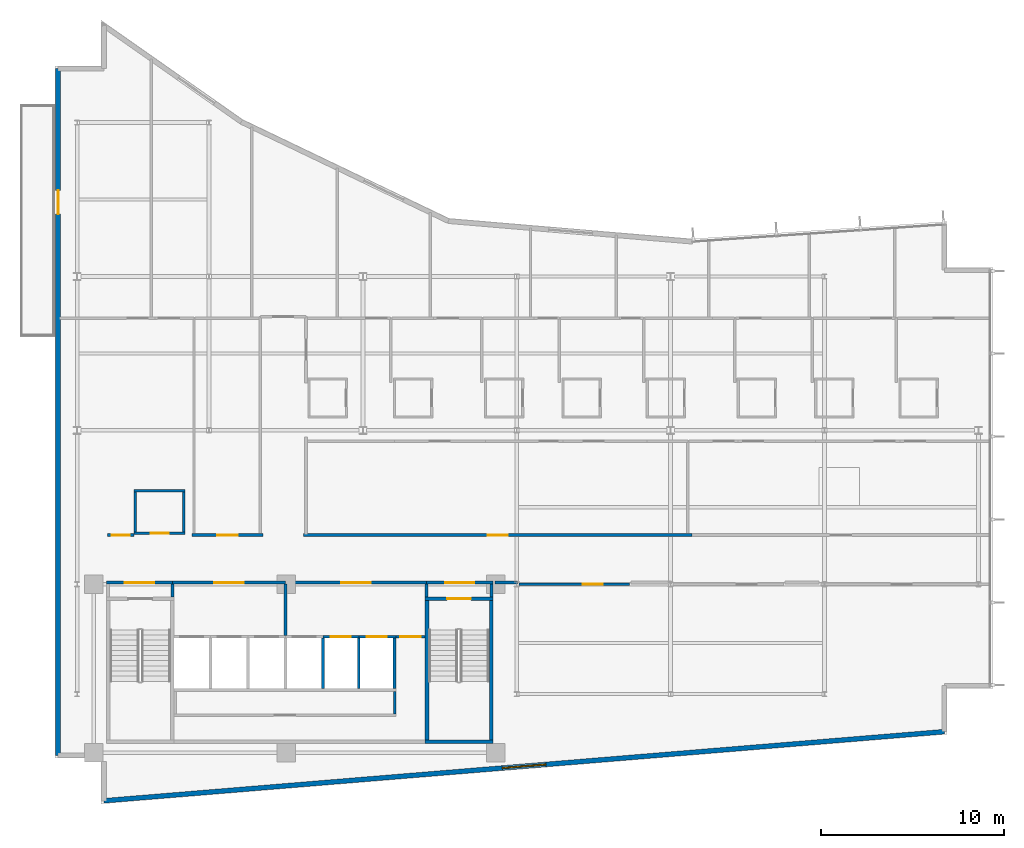
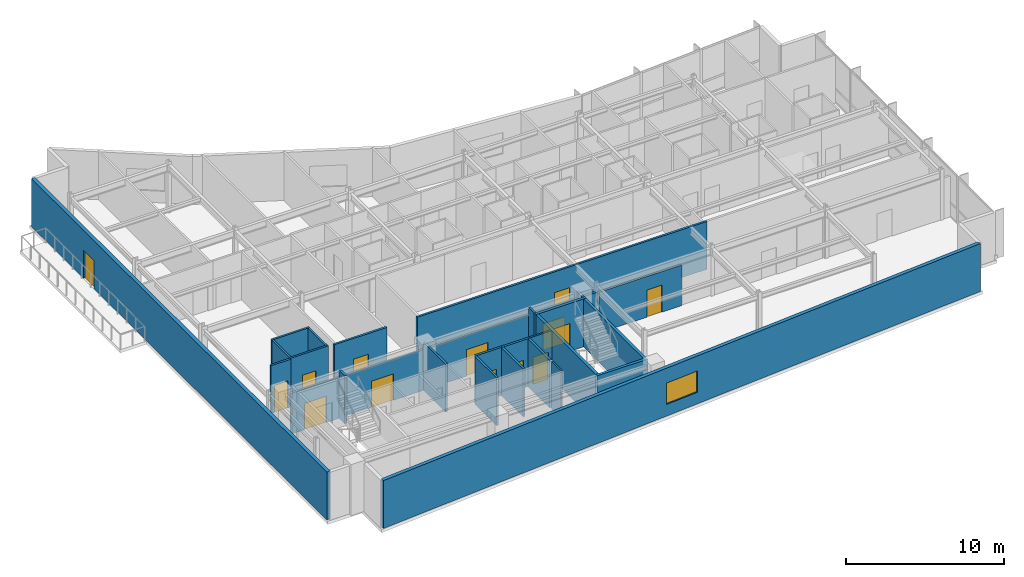
# One storey, part 10 of 16: 30 walls, 14 doors, 1 window, 15 openings.
"""IFC4 building model written with IfcOpenShell, lengths in metres."""

import ifcopenshell
import ifcopenshell.guid

model = None  # the IFC model being written
_history = None  # IfcOwnerHistory: only IFC2X3 demands one
_inside = {}  # id of a spatial element -> (the spatial element, [elements in it])
_under = {}  # id of a project, library or spatial element -> (it, [spatial elements below it])
_declared = {}  # id of a project -> (the project, [libraries it declares])
_typed = {}  # id of a type object -> (the type object, [elements of that type])
_made_of = {}  # id of a material, layer set ... -> (it, [elements and type objects made of it])


def new_model(schema):
    """Start an empty IFC model of exactly this schema.

    Asked for "IFC4X3", IfcOpenShell would pick the latest addendum, in which some entities
    have other attributes; the version numbers below select the first issue.
    IFC2X3 requires an IfcOwnerHistory on every rooted entity: one is made here for all.
    """
    global model, _history
    if schema == "IFC4X3":
        model = ifcopenshell.file(schema_version=(4, 3, 0, 0))
    else:
        model = ifcopenshell.file(schema=schema)
    _inside.clear()
    _under.clear()
    _declared.clear()
    _typed.clear()
    _made_of.clear()
    _history = None
    if model.schema == "IFC2X3":
        org = make("IfcOrganization", Name="unknown")
        user = make(
            "IfcPersonAndOrganization",
            ThePerson=make("IfcPerson", FamilyName="unknown"),
            TheOrganization=org,
        )
        app = make(
            "IfcApplication",
            ApplicationDeveloper=org,
            Version="unknown",
            ApplicationFullName="unknown",
            ApplicationIdentifier="unknown",
        )
        _history = make(
            "IfcOwnerHistory",
            OwningUser=user,
            OwningApplication=app,
            ChangeAction="ADDED",
            CreationDate=0,
        )
    return model


def make(cls, **values):
    """One entity of the class cls with the attributes given. An attribute that is None is left unset."""
    return model.create_entity(
        cls, **{name: value for name, value in values.items() if value is not None}
    )


def rooted(cls, **values):
    """An entity with a GlobalId (a new one), such as an element, a storey or a relation."""
    return make(cls, GlobalId=ifcopenshell.guid.new(), OwnerHistory=_history, **values)


def si_unit(unit_type, name, prefix=None):
    """IfcSIUnit, for example si_unit("LENGTHUNIT", "METRE", prefix="MILLI")."""
    return make("IfcSIUnit", UnitType=unit_type, Prefix=prefix, Name=name)


def assignment(units):
    """IfcUnitAssignment: the units of a project."""
    return None if units is None else make("IfcUnitAssignment", Units=units)


def point(xyz):
    """IfcCartesianPoint."""
    return None if xyz is None else make("IfcCartesianPoint", Coordinates=xyz)


def direction(xyz):
    """IfcDirection."""
    return None if xyz is None else make("IfcDirection", DirectionRatios=xyz)


def frame(location, z_axis=None, x_axis=None):
    """IfcAxis2Placement3D, a coordinate frame: its origin and axes. An axis left out is left unset."""
    return make(
        "IfcAxis2Placement3D",
        Location=point(location),
        Axis=direction(z_axis),
        RefDirection=direction(x_axis),
    )


def frame_2d(location, x_axis=None):
    """IfcAxis2Placement2D, a coordinate frame in the plane: its origin and x axis."""
    return make(
        "IfcAxis2Placement2D", Location=point(location), RefDirection=direction(x_axis)
    )


def origin():
    """The frame at (0, 0, 0) with its axes left unset."""
    return frame((0.0, 0.0, 0.0))


def place(relative_to, where):
    """IfcLocalPlacement: puts the frame where relative to a parent placement (None: the world)."""
    return make(
        "IfcLocalPlacement", PlacementRelTo=relative_to, RelativePlacement=where
    )


def context(
    kind, dimensions, precision=None, world=None, true_north=None, identifier=None
):
    """IfcGeometricRepresentationContext, for example the 3D "Model" context."""
    return make(
        "IfcGeometricRepresentationContext",
        ContextIdentifier=identifier,
        ContextType=kind,
        CoordinateSpaceDimension=dimensions,
        Precision=precision,
        WorldCoordinateSystem=world,
        TrueNorth=true_north,
    )


def subcontext(parent, identifier, kind, view, scale=None):
    """IfcGeometricRepresentationSubContext, for example "Body" below "Model"."""
    return make(
        "IfcGeometricRepresentationSubContext",
        ContextIdentifier=identifier,
        ContextType=kind,
        ParentContext=parent,
        TargetScale=scale,
        TargetView=view,
    )


def project(units=None, contexts=None):
    """IfcProject with its units and contexts."""
    return rooted(
        "IfcProject",
        Name="project",
        RepresentationContexts=contexts,
        UnitsInContext=assignment(units),
    )


def spatial(cls, under=None, at=None, **own):
    """A site, building, storey or space (cls), placed at a placement, below another one or the project."""
    s = rooted(cls, ObjectPlacement=at, **own)
    if under is not None:
        _under.setdefault(under.id(), (under, []))[1].append(s)
    return s


def profile(cls, at=None, kind="AREA", **sizes):
    """A parametric profile (cls). Its sizes go by their IFC names, for example OverallWidth=200.0."""
    return make(cls, ProfileType=kind, Position=at, **sizes)


def rectangle(**sizes):
    """IfcRectangleProfileDef."""
    return profile("IfcRectangleProfileDef", **sizes)


def extrude(swept, where, along, depth):
    """IfcExtrudedAreaSolid: the profile swept, set in the frame where, extruded along a direction by depth."""
    return make(
        "IfcExtrudedAreaSolid",
        SweptArea=swept,
        Position=where,
        ExtrudedDirection=direction(along),
        Depth=depth,
    )


def shape(context_of_items, identifier, shape_type, items):
    """IfcShapeRepresentation: the items that make up one representation, for example the "Body"."""
    return make(
        "IfcShapeRepresentation",
        ContextOfItems=context_of_items,
        RepresentationIdentifier=identifier,
        RepresentationType=shape_type,
        Items=items,
    )


def material(Name=None, Category=None):
    """IfcMaterial."""
    return make("IfcMaterial", Name=Name, Category=Category)


def layer(
    of_material, thickness, ventilated=None, Name=None, Category=None, Priority=None
):
    """IfcMaterialLayer: one layer of a wall or slab, of a material (None: an air gap)."""
    return make(
        "IfcMaterialLayer",
        Material=of_material,
        LayerThickness=thickness,
        IsVentilated=ventilated,
        Name=Name,
        Category=Category,
        Priority=Priority,
    )


def layer_set(layers, Name=None):
    """IfcMaterialLayerSet."""
    return make("IfcMaterialLayerSet", MaterialLayers=layers, LayerSetName=Name)


def made_of(thing, what):
    """Note that an element or type object is made of a material, layer set ...; save() writes the relation."""
    if what is not None:
        _made_of.setdefault(what.id(), (what, []))[1].append(thing)
    return thing


def type_object(cls, material=None, **own):
    """A type object (cls), such as IfcWallType, which elements share."""
    return made_of(rooted(cls, **own), material)


def element(
    cls,
    number,
    at=None,
    inside=None,
    cuts=None,
    type_object=None,
    material=None,
    context=None,
    identifier="Body",
    shape_type=None,
    held_by="IfcProductDefinitionShape",
    body=None,
    shapes=None,
    **own,
):
    """One element of the class cls, such as IfcWall. Its Tag is "e" and its number.

    at: its placement. inside: the storey or other place that contains it. cuts: it is an
    opening in that element (IfcRelVoidsElement). A single representation is given by context,
    identifier, shape_type and body (its items); several are given by shapes. held_by: the class
    of the entity that holds the representations. save() writes the other relations.
    """
    e = rooted(cls, Tag="e%d" % number, ObjectPlacement=at, **own)
    if body is not None:
        shapes = [shape(context, identifier, shape_type, body)]
    if shapes is not None:
        e.Representation = make(held_by, Representations=shapes)
    if inside is not None:
        _inside.setdefault(inside.id(), (inside, []))[1].append(e)
    if cuts is not None:
        rooted(
            "IfcRelVoidsElement", RelatingBuildingElement=cuts, RelatedOpeningElement=e
        )
    if type_object is not None:
        _typed.setdefault(type_object.id(), (type_object, []))[1].append(e)
    return made_of(e, material)


def fill(opening, filler):
    """IfcRelFillsElement: the door or window that sits in an opening."""
    return rooted(
        "IfcRelFillsElement",
        RelatingOpeningElement=opening,
        RelatedBuildingElement=filler,
    )


def aggregate(whole, parts):
    """IfcRelAggregates: a whole, such as a stair, and the parts it consists of."""
    return rooted("IfcRelAggregates", RelatingObject=whole, RelatedObjects=parts)


def save(model, path):
    """Write the relations noted so far, then the file.

    IfcRelAggregates (storeys below a building ...), IfcRelContainedInSpatialStructure (elements
    in a storey), IfcRelDefinesByType, IfcRelAssociatesMaterial and IfcRelDeclares: one each for
    every whole, place, type object, material and project.
    """
    for whole, parts in _under.values():
        aggregate(whole, parts)
    for where, things in _inside.values():
        rooted(
            "IfcRelContainedInSpatialStructure",
            RelatedElements=things,
            RelatingStructure=where,
        )
    for kind, things in _typed.values():
        rooted("IfcRelDefinesByType", RelatedObjects=things, RelatingType=kind)
    for what, things in _made_of.values():
        rooted("IfcRelAssociatesMaterial", RelatedObjects=things, RelatingMaterial=what)
    for by, libraries in _declared.values():
        rooted("IfcRelDeclares", RelatingContext=by, RelatedDefinitions=libraries)
    model.write(path)


model = new_model("IFC4")

# Units and contexts
model_context = context("Model", 3, precision=1e-05, world=origin(), true_north=direction((0.0, 1.0)))
body_context = subcontext(model_context, "Body", "Model", "MODEL_VIEW")
ifc_project = project(units=[si_unit("LENGTHUNIT", "METRE"), si_unit("AREAUNIT", "SQUARE_METRE"), si_unit("VOLUMEUNIT", "CUBIC_METRE"), si_unit("PLANEANGLEUNIT", "RADIAN"), si_unit("MASSUNIT", "GRAM", prefix="KILO")], contexts=[model_context])

# Site, building, storey
site_placement = place(None, origin())
site = spatial("IfcSite", under=ifc_project, at=site_placement, CompositionType="ELEMENT")
building_placement = place(site_placement, origin())
building = spatial("IfcBuilding", under=site, at=building_placement, Name="Varnakote Quay Hospital", CompositionType="ELEMENT")
storey_placement = place(building_placement, frame((0.0, 0.0, 223.699951171875)))
storey = spatial("IfcBuildingStorey", under=building, at=storey_placement, Name="L55", CompositionType="ELEMENT", Elevation=223.699951171875)

# Wall, opening, door
ifc_material_1 = material(Name="Fire-rated acoustic gypsum stud wall", Category="gypsum")
ifc_layer_1 = layer(ifc_material_1, 0.159912109375)
ifc_layer_set_1 = layer_set([ifc_layer_1], Name="Fire-rated acoustic gypsum stud wall")
wall_type_1 = type_object("IfcWallType", Name="WL-COMP-160", PredefinedType="PARTITIONING", material=ifc_layer_set_1)
wall_1_placement = place(storey_placement, frame((2.800048828125, 12.080078125, 0.0), z_axis=(0.0, 0.0, 1.0), x_axis=(1.0, 0.0, 0.0)))
wall_1 = element("IfcWall", 1, at=wall_1_placement, inside=storey, type_object=wall_type_1, Name="L55 West Stair Vestibule Smoke Wall", PredefinedType="PARTITIONING", context=body_context, shape_type="SweptSolid", body=[
    extrude(rectangle(XDim=3.599853515625, YDim=0.159912109375, at=frame_2d((1.7998046875, 0.0))), origin(), (0.0, 0.0, 1.0), 3.152099609375),
])
opening_1_placement = place(wall_1_placement, frame((1.0, 0.0, 0.0)))
opening_1 = element("IfcOpeningElement", 2, at=opening_1_placement, cuts=wall_1, Name="Opening D-ST1L-L55", PredefinedType="OPENING", context=body_context, shape_type="SweptSolid", body=[
    extrude(rectangle(XDim=1.60009765625, YDim=2.050048828125, at=frame_2d((0.800048828125, 1.02490234375))), frame((0.0, 0.08984375, 0.0), z_axis=(0.0, -1.0, 0.0), x_axis=(1.0, 0.0, 0.0)), (0.0, 0.0, 1.0), 0.179931640625),
])
ifc_material_2 = material(Name="Fire-rated double smoke lobby door")
door_type_1 = type_object("IfcDoorType", Name="DR-LOBBY-FD60S-1600x2150", OperationType="NOTDEFINED", PredefinedType="DOOR", material=ifc_material_2)
door_1_placement = place(opening_1_placement, origin())
door_1 = element("IfcDoor", 3, at=door_1_placement, inside=storey, type_object=door_type_1, Name="L55 West Stair Vestibule Smoke Door", OperationType="DOUBLE_DOOR_SINGLE_SWING", OverallHeight=2.050048828125, OverallWidth=1.60009765625, PredefinedType="DOOR", context=body_context, shape_type="SweptSolid", body=[
    extrude(rectangle(XDim=1.60009765625, YDim=2.050048828125, at=frame_2d((0.800048828125, 1.02490234375))), frame((0.0, 0.02490234375, 0.0), z_axis=(0.0, -1.0, 0.0), x_axis=(1.0, 0.0, 0.0)), (0.0, 0.0, 1.0), 0.050048828125),
])
fill(opening_1, door_1)

# Wall
wall_2_placement = place(storey_placement, frame((6.39990234375, 11.300048828125, 0.0), z_axis=(0.0, 0.0, 1.0), x_axis=(0.0, 1.0, 0.0)))
element("IfcWall", 4, at=wall_2_placement, inside=storey, type_object=wall_type_1, Name="L55 Firefighting Lobby West Wall", PredefinedType="PARTITIONING", context=body_context, shape_type="SweptSolid", body=[
    extrude(rectangle(XDim=0.699951171875, YDim=0.159912109375, at=frame_2d((0.35009765625, 0.0))), origin(), (0.0, 0.0, 1.0), 3.7099609375),
])

# Wall, opening, door
wall_3_placement = place(storey_placement, frame((6.39990234375, 12.080078125, 0.0), z_axis=(0.0, 0.0, 1.0), x_axis=(1.0, 0.0, 0.0)))
wall_3 = element("IfcWall", 5, at=wall_3_placement, inside=storey, type_object=wall_type_1, Name="L55 Firefighting Lift Lobby Compartment Wall", PredefinedType="PARTITIONING", context=body_context, shape_type="SweptSolid", body=[
    extrude(rectangle(XDim=6.18017578125, YDim=0.159912109375, at=frame_2d((3.090087890625, 0.0))), origin(), (0.0, 0.0, 1.0), 3.152099609375),
])
opening_2_placement = place(wall_3_placement, frame((2.2900390625, 0.0, 0.0)))
opening_2 = element("IfcOpeningElement", 6, at=opening_2_placement, cuts=wall_3, Name="Opening D-FFL-L55", PredefinedType="OPENING", context=body_context, shape_type="SweptSolid", body=[
    extrude(rectangle(XDim=1.60009765625, YDim=2.050048828125, at=frame_2d((0.800048828125, 1.02490234375))), frame((0.0, 0.08984375, 0.0), z_axis=(0.0, -1.0, 0.0), x_axis=(1.0, 0.0, 0.0)), (0.0, 0.0, 1.0), 0.179931640625),
])
door_2_placement = place(opening_2_placement, origin())
door_2 = element("IfcDoor", 7, at=door_2_placement, inside=storey, type_object=door_type_1, Name="L55 Firefighting Smoke Vestibule Door", OperationType="DOUBLE_DOOR_SINGLE_SWING", OverallHeight=2.050048828125, OverallWidth=1.60009765625, PredefinedType="DOOR", context=body_context, shape_type="SweptSolid", body=[
    extrude(rectangle(XDim=1.60009765625, YDim=2.050048828125, at=frame_2d((0.800048828125, 1.02490234375))), frame((0.0, 0.02490234375, 0.0), z_axis=(0.0, -1.0, 0.0), x_axis=(1.0, 0.0, 0.0)), (0.0, 0.0, 1.0), 0.050048828125),
])
fill(opening_2, door_2)

# Wall
wall_4_placement = place(storey_placement, frame((12.580078125, 9.2099609375, 0.0), z_axis=(0.0, 0.0, 1.0), x_axis=(0.0, 1.0, 0.0)))
element("IfcWall", 8, at=wall_4_placement, inside=storey, type_object=wall_type_1, Name="L55 Firefighting to Service Lobby Wall", PredefinedType="PARTITIONING", context=body_context, shape_type="SweptSolid", body=[
    extrude(rectangle(XDim=2.7900390625, YDim=0.159912109375, at=frame_2d((1.39501953125, 0.0))), origin(), (0.0, 0.0, 1.0), 3.7099609375),
])

# Wall, opening, door
wall_5_placement = place(storey_placement, frame((12.580078125, 12.080078125, 0.0), z_axis=(0.0, 0.0, 1.0), x_axis=(1.0, 0.0, 0.0)))
wall_5 = element("IfcWall", 9, at=wall_5_placement, inside=storey, type_object=wall_type_1, Name="L55 Clinical Bed Lift Lobby Wall", PredefinedType="PARTITIONING", context=body_context, shape_type="SweptSolid", body=[
    extrude(rectangle(XDim=7.699951171875, YDim=0.159912109375, at=frame_2d((3.85009765625, 0.0))), origin(), (0.0, 0.0, 1.0), 3.152099609375),
])
opening_3_placement = place(wall_5_placement, frame((3.050048828125, 0.0, 0.0)))
opening_3 = element("IfcOpeningElement", 10, at=opening_3_placement, cuts=wall_5, Name="Opening D-SVL-L55", PredefinedType="OPENING", context=body_context, shape_type="SweptSolid", body=[
    extrude(rectangle(XDim=1.60009765625, YDim=2.050048828125, at=frame_2d((0.800048828125, 1.02490234375))), frame((0.0, 0.08984375, 0.0), z_axis=(0.0, -1.0, 0.0), x_axis=(1.0, 0.0, 0.0)), (0.0, 0.0, 1.0), 0.179931640625),
])
door_3_placement = place(opening_3_placement, origin())
door_3 = element("IfcDoor", 11, at=door_3_placement, inside=storey, type_object=door_type_1, Name="L55 Clinical Core Smoke Vestibule Door", OperationType="DOUBLE_DOOR_SINGLE_SWING", OverallHeight=2.050048828125, OverallWidth=1.60009765625, PredefinedType="DOOR", context=body_context, shape_type="SweptSolid", body=[
    extrude(rectangle(XDim=1.60009765625, YDim=2.050048828125, at=frame_2d((0.800048828125, 1.02490234375))), frame((0.0, 0.02490234375, 0.0), z_axis=(0.0, -1.0, 0.0), x_axis=(1.0, 0.0, 0.0)), (0.0, 0.0, 1.0), 0.050048828125),
])
fill(opening_3, door_3)

# Wall
wall_6_placement = place(storey_placement, frame((20.280029296875, 11.300048828125, 0.0), z_axis=(0.0, 0.0, 1.0), x_axis=(0.0, 1.0, 0.0)))
element("IfcWall", 12, at=wall_6_placement, inside=storey, type_object=wall_type_1, Name="L55 East Stair Vestibule Divider Wall", PredefinedType="PARTITIONING", context=body_context, shape_type="SweptSolid", body=[
    extrude(rectangle(XDim=0.699951171875, YDim=0.159912109375, at=frame_2d((0.35009765625, 0.0))), origin(), (0.0, 0.0, 1.0), 3.7099609375),
])

# Wall, opening, door
wall_7_placement = place(storey_placement, frame((20.280029296875, 12.080078125, 0.0), z_axis=(0.0, 0.0, 1.0), x_axis=(1.0, 0.0, 0.0)))
wall_7 = element("IfcWall", 13, at=wall_7_placement, inside=storey, type_object=wall_type_1, Name="L55 East Stair Vestibule Smoke Wall", PredefinedType="PARTITIONING", context=body_context, shape_type="SweptSolid", body=[
    extrude(rectangle(XDim=3.619873046875, YDim=0.159912109375, at=frame_2d((1.81005859375, 0.0))), origin(), (0.0, 0.0, 1.0), 3.152099609375),
])
opening_4_placement = place(wall_7_placement, frame((1.010009765625, 0.0, 0.0)))
opening_4 = element("IfcOpeningElement", 14, at=opening_4_placement, cuts=wall_7, Name="Opening D-ST2L-L55", PredefinedType="OPENING", context=body_context, shape_type="SweptSolid", body=[
    extrude(rectangle(XDim=1.60009765625, YDim=2.050048828125, at=frame_2d((0.800048828125, 1.02490234375))), frame((0.0, 0.08984375, 0.0), z_axis=(0.0, -1.0, 0.0), x_axis=(1.0, 0.0, 0.0)), (0.0, 0.0, 1.0), 0.179931640625),
])
door_4_placement = place(opening_4_placement, origin())
door_4 = element("IfcDoor", 15, at=door_4_placement, inside=storey, type_object=door_type_1, Name="L55 East Stair Vestibule Smoke Door", OperationType="DOUBLE_DOOR_SINGLE_SWING", OverallHeight=2.050048828125, OverallWidth=1.60009765625, PredefinedType="DOOR", context=body_context, shape_type="SweptSolid", body=[
    extrude(rectangle(XDim=1.60009765625, YDim=2.050048828125, at=frame_2d((0.800048828125, 1.02490234375))), frame((0.0, 0.02490234375, 0.0), z_axis=(0.0, -1.0, 0.0), x_axis=(1.0, 0.0, 0.0)), (0.0, 0.0, 1.0), 0.050048828125),
])
fill(opening_4, door_4)

# Walls
wall_8_placement = place(storey_placement, frame((23.820068359375, 11.300048828125, 0.0), z_axis=(0.0, 0.0, 1.0), x_axis=(0.0, 1.0, 0.0)))
element("IfcWall", 16, at=wall_8_placement, inside=storey, type_object=wall_type_1, Name="L55 East Stair Vestibule East Wall", PredefinedType="PARTITIONING", context=body_context, shape_type="SweptSolid", body=[
    extrude(rectangle(XDim=0.699951171875, YDim=0.159912109375, at=frame_2d((0.35009765625, 0.0))), origin(), (0.0, 0.0, 1.0), 3.7099609375),
])
wall_9_placement = place(storey_placement, frame((24.02001953125, 12.080078125, 0.0), z_axis=(0.0, 0.0, 1.0), x_axis=(1.0, 0.0, 0.0)))
element("IfcWall", 17, at=wall_9_placement, inside=storey, type_object=wall_type_1, Name="L55 Corridor South Gap Wall", PredefinedType="PARTITIONING", context=body_context, shape_type="SweptSolid", body=[
    extrude(rectangle(XDim=1.21875, YDim=0.159912109375, at=frame_2d((0.609375, 0.0))), origin(), (0.0, 0.0, 1.0), 3.152099609375),
])

# Wall, opening, window
ifc_material_3 = material(Name="Precast concrete N50 (f'c 50 MPa)", Category="concrete")
ifc_layer_2 = layer(ifc_material_3, 0.260009765625)
ifc_layer_set_2 = layer_set([ifc_layer_2], Name="Precast concrete N50 (f'c 50 MPa)")
wall_type_2 = type_object("IfcWallType", Name="WL-EXT-BRICK-260", PredefinedType="STANDARD", material=ifc_layer_set_2)
wall_10_placement = place(storey_placement, frame((2.659912109375, 0.173583984375, 0.0), z_axis=(0.0, 0.0, 1.0), x_axis=(0.996634028439, 0.081979347142, 0.0)))
wall_10 = element("IfcWall", 18, at=wall_10_placement, inside=storey, type_object=wall_type_2, Name="L55 Brick-Faced Precast Exterior Wall", PredefinedType="STANDARD", context=body_context, shape_type="SweptSolid", body=[
    extrude(rectangle(XDim=46.03515625, YDim=0.260009765625, at=frame_2d((23.017578125, 0.0))), origin(), (0.0, 0.0, 1.0), 3.7099609375),
])
opening_5_placement = place(wall_10_placement, frame((21.8173828125, 0.0, 0.89990234375)))
opening_5 = element("IfcOpeningElement", 19, at=opening_5_placement, cuts=wall_10, Name="Opening WN-0226", PredefinedType="OPENING", context=body_context, shape_type="SweptSolid", body=[
    extrude(rectangle(XDim=2.39990234375, YDim=1.64990234375, at=frame_2d((1.199951171875, 0.824951171875))), frame((0.0, 0.139892578125, 0.0), z_axis=(0.0, -1.0, 0.0), x_axis=(1.0, 0.0, 0.0)), (0.0, 0.0, 1.0), 0.280029296875),
])
ifc_material_4 = material(Name="Double-glazed low-E solar glass", Category="glass")
window_type = type_object("IfcWindowType", Name="WIN-CLIN-2400x1650", PartitioningType="SINGLE_PANEL", PredefinedType="WINDOW", material=ifc_material_4)
window_placement = place(opening_5_placement, origin())
window = element("IfcWindow", 20, at=window_placement, inside=storey, type_object=window_type, Name="L55 Solar-Control Clinical Window", OverallHeight=1.64990234375, OverallWidth=2.39990234375, PartitioningType="SINGLE_PANEL", PredefinedType="WINDOW", context=body_context, shape_type="SweptSolid", body=[
    extrude(rectangle(XDim=2.39990234375, YDim=1.64990234375, at=frame_2d((1.199951171875, 0.824951171875))), frame((0.0, 0.030029296875, 0.0), z_axis=(0.0, -1.0, 0.0), x_axis=(1.0, 0.0, 0.0)), (0.0, 0.0, 1.0), 0.06005859375),
])
fill(opening_5, window)

# Wall, opening, door
wall_11_placement = place(storey_placement, frame((0.159912109375, 40.139892578125, 0.0), z_axis=(0.0, 0.0, 1.0), x_axis=(0.0, -1.0, 0.0)))
wall_11 = element("IfcWall", 21, at=wall_11_placement, inside=storey, type_object=wall_type_2, Name="L55 Healing Terrace Portal Brick Wall", PredefinedType="STANDARD", context=body_context, shape_type="SweptSolid", body=[
    extrude(rectangle(XDim=37.47998046875, YDim=0.260009765625, at=frame_2d((18.739990234375, 0.0))), origin(), (0.0, 0.0, 1.0), 3.7099609375),
])
opening_6_placement = place(wall_11_placement, frame((6.6376953125, 0.0, 0.0)))
opening_6 = element("IfcOpeningElement", 22, at=opening_6_placement, cuts=wall_11, Name="Opening DT-L55", PredefinedType="OPENING", context=body_context, shape_type="SweptSolid", body=[
    extrude(rectangle(XDim=1.300048828125, YDim=2.14990234375, at=frame_2d((0.64990234375, 1.074951171875))), frame((0.0, 0.139892578125, 0.0), z_axis=(0.0, -1.0, 0.0), x_axis=(1.0, 0.0, 0.0)), (0.0, 0.0, 1.0), 0.280029296875),
])
ifc_material_5 = material(Name="Anodised aluminium glazed terrace door", Category="aluminium")
door_type_2 = type_object("IfcDoorType", Name="DR-EXT-TERR-1300x2150", OperationType="NOTDEFINED", PredefinedType="DOOR", material=ifc_material_5)
door_5_placement = place(opening_6_placement, origin())
door_5 = element("IfcDoor", 23, at=door_5_placement, inside=storey, type_object=door_type_2, Name="L55 Waterfront Healing Terrace Door", OperationType="SINGLE_SWING_RIGHT", OverallHeight=2.14990234375, OverallWidth=1.300048828125, PredefinedType="DOOR", context=body_context, shape_type="SweptSolid", body=[
    extrude(rectangle(XDim=1.300048828125, YDim=2.14990234375, at=frame_2d((0.64990234375, 1.074951171875))), frame((0.0, 0.02490234375, 0.0), z_axis=(0.0, -1.0, 0.0), x_axis=(1.0, 0.0, 0.0)), (0.0, 0.0, 1.0), 0.050048828125),
])
fill(opening_6, door_5)

# Walls
ifc_material_6 = material(Name="Concrete N50 (f'c 50 MPa)", Category="concrete")
ifc_layer_3 = layer(ifc_material_6, 0.14990234375)
ifc_layer_set_3 = layer_set([ifc_layer_3], Name="Concrete N50 (f'c 50 MPa)")
wall_type_3 = type_object("IfcWallType", Name="WL-SHAFT-N50-150", PredefinedType="SHEAR", material=ifc_layer_set_3)
for number, where, z_axis, x_axis, name in (
    (24, (14.625, 6.300048828125, 0.0), (0.0, 0.0, 1.0), (0.0, 1.0, 0.0), "L55 LF-SV2 Hoistway Divider Wall"),
    (25, (16.574951171875, 6.300048828125, 0.0), (0.0, 0.0, 1.0), (0.0, 1.0, 0.0), "L55 LF-PH1 Hoistway Divider Wall"),
):
    element("IfcWall", number, at=place(storey_placement, frame(where, z_axis=z_axis, x_axis=x_axis)), inside=storey, type_object=wall_type_3, Name=name, PredefinedType="SHEAR", context=body_context, shape_type="SweptSolid", body=[
        extrude(rectangle(XDim=2.75, YDim=0.14990234375, at=frame_2d((1.375, 0.0))), origin(), (0.0, 0.0, 1.0), 3.7099609375),
    ])
ifc_material_7 = material(Name="Concrete N50 (f'c 50 MPa)", Category="concrete")
ifc_layer_4 = layer(ifc_material_7, 0.159912109375)
ifc_layer_set_4 = layer_set([ifc_layer_4], Name="Concrete N50 (f'c 50 MPa)")
wall_type_4 = type_object("IfcWallType", Name="WL-SHAFT-N50-160", PredefinedType="SHEAR", material=ifc_layer_set_4)
wall_12_placement = place(storey_placement, frame((18.530029296875, 6.300048828125, 0.0), z_axis=(0.0, 0.0, 1.0), x_axis=(0.0, 1.0, 0.0)))
element("IfcWall", 26, at=wall_12_placement, inside=storey, type_object=wall_type_4, Name="L55 REAR Lift Bank East Shear Wall", PredefinedType="SHEAR", context=body_context, shape_type="SweptSolid", body=[
    extrude(rectangle(XDim=2.75, YDim=0.159912109375, at=frame_2d((1.375, 0.0))), origin(), (0.0, 0.0, 1.0), 3.7099609375),
])

# Wall, opening, door
wall_13_placement = place(storey_placement, frame((14.625, 9.1298828125, 0.0), z_axis=(0.0, 0.0, 1.0), x_axis=(1.0, 0.0, 0.0)))
wall_13 = element("IfcWall", 27, at=wall_13_placement, inside=storey, type_object=wall_type_4, Name="L55 LF-PH1 Hoistway Front Wall", PredefinedType="SHEAR", context=body_context, shape_type="SweptSolid", body=[
    extrude(rectangle(XDim=1.949951171875, YDim=0.159912109375, at=frame_2d((0.97509765625, 0.0))), origin(), (0.0, 0.0, 1.0), 3.7099609375),
])
opening_7_placement = place(wall_13_placement, frame((0.425048828125, 0.0, 0.0)))
opening_7 = element("IfcOpeningElement", 28, at=opening_7_placement, cuts=wall_13, Name="Opening LD-PH1-L55", PredefinedType="OPENING", context=body_context, shape_type="SweptSolid", body=[
    extrude(rectangle(XDim=1.10009765625, YDim=2.14990234375, at=frame_2d((0.550048828125, 1.074951171875))), frame((0.0, 0.08984375, 0.0), z_axis=(0.0, -1.0, 0.0), x_axis=(1.0, 0.0, 0.0)), (0.0, 0.0, 1.0), 0.179931640625),
])
ifc_material_8 = material(Name="Brushed bronze lift landing sliding door")
door_type_3 = type_object("IfcDoorType", Name="DR-LIFT-LD-1100x2150", OperationType="NOTDEFINED", PredefinedType="DOOR", material=ifc_material_8)
door_6_placement = place(opening_7_placement, origin())
door_6 = element("IfcDoor", 29, at=door_6_placement, inside=storey, type_object=door_type_3, Name="L55 LF-PH1 Lift Landing Sliding Door", OperationType="SLIDING_TO_LEFT", OverallHeight=2.14990234375, OverallWidth=1.10009765625, PredefinedType="DOOR", context=body_context, shape_type="SweptSolid", body=[
    extrude(rectangle(XDim=1.10009765625, YDim=2.14990234375, at=frame_2d((0.550048828125, 1.074951171875))), frame((0.0, 0.02490234375, 0.0), z_axis=(0.0, -1.0, 0.0), x_axis=(1.0, 0.0, 0.0)), (0.0, 0.0, 1.0), 0.050048828125),
])
fill(opening_7, door_6)

wall_14_placement = place(storey_placement, frame((16.574951171875, 9.1298828125, 0.0), z_axis=(0.0, 0.0, 1.0), x_axis=(1.0, 0.0, 0.0)))
wall_14 = element("IfcWall", 30, at=wall_14_placement, inside=storey, type_object=wall_type_4, Name="L55 LF-PH2 Hoistway Front Wall", PredefinedType="SHEAR", context=body_context, shape_type="SweptSolid", body=[
    extrude(rectangle(XDim=2.03515625, YDim=0.159912109375, at=frame_2d((1.017578125, 0.0))), origin(), (0.0, 0.0, 1.0), 3.7099609375),
])
opening_8_placement = place(wall_14_placement, frame((0.425048828125, 0.0, 0.0)))
opening_8 = element("IfcOpeningElement", 31, at=opening_8_placement, cuts=wall_14, Name="Opening LD-PH2-L55", PredefinedType="OPENING", context=body_context, shape_type="SweptSolid", body=[
    extrude(rectangle(XDim=1.10009765625, YDim=2.14990234375, at=frame_2d((0.550048828125, 1.074951171875))), frame((0.0, 0.08984375, 0.0), z_axis=(0.0, -1.0, 0.0), x_axis=(1.0, 0.0, 0.0)), (0.0, 0.0, 1.0), 0.179931640625),
])
door_7_placement = place(opening_8_placement, origin())
door_7 = element("IfcDoor", 32, at=door_7_placement, inside=storey, type_object=door_type_3, Name="L55 LF-PH2 Lift Landing Sliding Door", OperationType="SLIDING_TO_LEFT", OverallHeight=2.14990234375, OverallWidth=1.10009765625, PredefinedType="DOOR", context=body_context, shape_type="SweptSolid", body=[
    extrude(rectangle(XDim=1.10009765625, YDim=2.14990234375, at=frame_2d((0.550048828125, 1.074951171875))), frame((0.0, 0.02490234375, 0.0), z_axis=(0.0, -1.0, 0.0), x_axis=(1.0, 0.0, 0.0)), (0.0, 0.0, 1.0), 0.050048828125),
])
fill(opening_8, door_7)

# Walls
ifc_material_9 = material(Name="Concrete N50 (f'c 50 MPa)", Category="concrete")
ifc_layer_5 = layer(ifc_material_9, 0.199951171875)
ifc_layer_set_5 = layer_set([ifc_layer_5], Name="Concrete N50 (f'c 50 MPa)")
wall_type_5 = type_object("IfcWallType", Name="WL-SHAFT-N50-200", PredefinedType="SHEAR", material=ifc_layer_set_5)
wall_15_placement = place(storey_placement, frame((20.199951171875, 3.39990234375, 0.0), z_axis=(0.0, 0.0, 1.0), x_axis=(1.0, 0.0, 0.0)))
element("IfcWall", 33, at=wall_15_placement, inside=storey, type_object=wall_type_5, Name="L55 Stair ST2 South Shaft Wall", PredefinedType="SHEAR", context=body_context, shape_type="SweptSolid", body=[
    extrude(rectangle(XDim=3.699951171875, YDim=0.199951171875, at=frame_2d((1.85009765625, 0.0))), origin(), (0.0, 0.0, 1.0), 3.7099609375),
])
for number, where, z_axis, x_axis, name in (
    (34, (20.300048828125, 3.5, 0.0), (0.0, 0.0, 1.0), (0.0, 1.0, 0.0), "L55 Stair ST2 West Shaft Wall"),
    (35, (23.800048828125, 3.5, 0.0), (0.0, 0.0, 1.0), (0.0, 1.0, 0.0), "L55 Stair ST2 East Shaft Wall"),
):
    element("IfcWall", number, at=place(storey_placement, frame(where, z_axis=z_axis, x_axis=x_axis)), inside=storey, type_object=wall_type_5, Name=name, PredefinedType="SHEAR", context=body_context, shape_type="SweptSolid", body=[
        extrude(rectangle(XDim=7.60009765625, YDim=0.199951171875, at=frame_2d((3.800048828125, 0.0))), origin(), (0.0, 0.0, 1.0), 3.7099609375),
    ])

# Wall, opening, door
wall_16_placement = place(storey_placement, frame((20.199951171875, 11.199951171875, 0.0), z_axis=(0.0, 0.0, 1.0), x_axis=(1.0, 0.0, 0.0)))
wall_16 = element("IfcWall", 36, at=wall_16_placement, inside=storey, type_object=wall_type_5, Name="L55 Stair ST2 Exit Wall", PredefinedType="SHEAR", context=body_context, shape_type="SweptSolid", body=[
    extrude(rectangle(XDim=3.699951171875, YDim=0.199951171875, at=frame_2d((1.85009765625, 0.0))), origin(), (0.0, 0.0, 1.0), 3.7099609375),
])
opening_9_placement = place(wall_16_placement, frame((1.199951171875, 0.0, 0.0)))
opening_9 = element("IfcOpeningElement", 37, at=opening_9_placement, cuts=wall_16, Name="Opening D-ST2-L55", PredefinedType="OPENING", context=body_context, shape_type="SweptSolid", body=[
    extrude(rectangle(XDim=1.300048828125, YDim=2.14990234375, at=frame_2d((0.64990234375, 1.074951171875))), frame((0.0, 0.10986328125, 0.0), z_axis=(0.0, -1.0, 0.0), x_axis=(1.0, 0.0, 0.0)), (0.0, 0.0, 1.0), 0.219970703125),
])
ifc_material_10 = material(Name="Fire-rated ceramic-glazed timber exit door", Category="wood")
door_type_4 = type_object("IfcDoorType", Name="DR-STAIR-FD60S-1300x2150", OperationType="NOTDEFINED", PredefinedType="DOOR", material=ifc_material_10)
door_8_placement = place(opening_9_placement, origin())
door_8 = element("IfcDoor", 38, at=door_8_placement, inside=storey, type_object=door_type_4, Name="L55 Stair ST2 Fire Exit Door", OperationType="SINGLE_SWING_LEFT", OverallHeight=2.14990234375, OverallWidth=1.300048828125, PredefinedType="DOOR", context=body_context, shape_type="SweptSolid", body=[
    extrude(rectangle(XDim=1.300048828125, YDim=2.14990234375, at=frame_2d((0.64990234375, 1.074951171875))), frame((0.0, 0.02490234375, 0.0), z_axis=(0.0, -1.0, 0.0), x_axis=(1.0, 0.0, 0.0)), (0.0, 0.0, 1.0), 0.050048828125),
])
fill(opening_9, door_8)

# Wall
ifc_material_11 = material(Name="Smoke-proof clinical partition", Category="gypsum")
ifc_layer_6 = layer(ifc_material_11, 0.1201171875)
ifc_layer_set_6 = layer_set([ifc_layer_6], Name="Smoke-proof clinical partition")
wall_type_6 = type_object("IfcWallType", Name="WL-SMOKE-120", PredefinedType="PARTITIONING", material=ifc_layer_set_6)
wall_17_placement = place(storey_placement, frame((18.5400390625, 4.919921875, 0.0), z_axis=(0.0, 0.0, 1.0), x_axis=(0.0, 1.0, 0.0)))
element("IfcWall", 39, at=wall_17_placement, inside=storey, type_object=wall_type_6, Name="L55 Core Service Strip East Wall", PredefinedType="PARTITIONING", context=body_context, shape_type="SweptSolid", body=[
    extrude(rectangle(XDim=1.219970703125, YDim=0.1201171875, at=frame_2d((0.60986328125, 0.0))), origin(), (0.0, 0.0, 1.0), 3.7099609375),
])

# Wall, opening, door
ifc_material_12 = material(Name="Fire-rated clinical gypsum partition", Category="gypsum")
ifc_layer_7 = layer(ifc_material_12, 0.139892578125)
ifc_layer_set_7 = layer_set([ifc_layer_7], Name="Fire-rated clinical gypsum partition")
wall_type_7 = type_object("IfcWallType", Name="WL-WARD-140", PredefinedType="PARTITIONING", material=ifc_layer_set_7)
wall_18_placement = place(storey_placement, frame((18.610107421875, 9.1298828125, 0.0), z_axis=(0.0, 0.0, 1.0), x_axis=(1.0, 0.0, 0.0)))
wall_18 = element("IfcWall", 40, at=wall_18_placement, inside=storey, type_object=wall_type_7, Name="L55 Core Service Corridor North Door Wall", PredefinedType="PARTITIONING", context=body_context, shape_type="SweptSolid", body=[
    extrude(rectangle(XDim=1.58984375, YDim=0.139892578125, at=frame_2d((0.794921875, 0.0))), origin(), (0.0, 0.0, 1.0), 3.7099609375),
])
opening_10_placement = place(wall_18_placement, frame((0.239990234375, 0.0, 0.0)))
opening_10 = element("IfcOpeningElement", 41, at=opening_10_placement, cuts=wall_18, Name="Opening D-CSRV-L55", PredefinedType="OPENING", context=body_context, shape_type="SweptSolid", body=[
    extrude(rectangle(XDim=1.10009765625, YDim=2.10009765625, at=frame_2d((0.550048828125, 1.050048828125))), frame((0.0, 0.079833984375, 0.0), z_axis=(0.0, -1.0, 0.0), x_axis=(1.0, 0.0, 0.0)), (0.0, 0.0, 1.0), 0.159912109375),
])
ifc_material_13 = material(Name="Acoustic timber clinical consult door", Category="wood")
door_type_5 = type_object("IfcDoorType", Name="DR-CLIN-FD30S-1100x2100", OperationType="NOTDEFINED", PredefinedType="DOOR", material=ifc_material_13)
door_9_placement = place(opening_10_placement, origin())
door_9 = element("IfcDoor", 42, at=door_9_placement, inside=storey, type_object=door_type_5, Name="L55 Core Service Corridor Door", OperationType="SINGLE_SWING_LEFT", OverallHeight=2.10009765625, OverallWidth=1.10009765625, PredefinedType="DOOR", context=body_context, shape_type="SweptSolid", body=[
    extrude(rectangle(XDim=1.10009765625, YDim=2.10009765625, at=frame_2d((0.550048828125, 1.050048828125))), frame((0.0, 0.02490234375, 0.0), z_axis=(0.0, -1.0, 0.0), x_axis=(1.0, 0.0, 0.0)), (0.0, 0.0, 1.0), 0.050048828125),
])
fill(opening_10, door_9)

wall_19_placement = place(storey_placement, frame((4.31005859375, 14.77001953125, 0.0), z_axis=(0.0, 0.0, 1.0), x_axis=(1.0, 0.0, 0.0)))
wall_19 = element("IfcWall", 43, at=wall_19_placement, inside=storey, type_object=wall_type_7, Name="L55 Floor Unisex Accessible WC S Wall", PredefinedType="PARTITIONING", context=body_context, shape_type="SweptSolid", body=[
    extrude(rectangle(XDim=2.780029296875, YDim=0.139892578125, at=frame_2d((1.39013671875, 0.0))), origin(), (0.0, 0.0, 1.0), 3.7099609375),
])
opening_11_placement = place(wall_19_placement, frame((0.89990234375, 0.0, 0.0)))
opening_11 = element("IfcOpeningElement", 44, at=opening_11_placement, cuts=wall_19, Name="Opening D-L55-EW01", PredefinedType="OPENING", context=body_context, shape_type="SweptSolid", body=[
    extrude(rectangle(XDim=0.97998046875, YDim=2.10009765625, at=frame_2d((0.489990234375, 1.050048828125))), frame((0.0, 0.079833984375, 0.0), z_axis=(0.0, -1.0, 0.0), x_axis=(1.0, 0.0, 0.0)), (0.0, 0.0, 1.0), 0.159912109375),
])
ifc_material_14 = material(Name="Accessible sanitary compartment door")
door_type_6 = type_object("IfcDoorType", Name="DR-WC-980x2100", OperationType="NOTDEFINED", PredefinedType="DOOR", material=ifc_material_14)
door_10_placement = place(opening_11_placement, origin())
door_10 = element("IfcDoor", 45, at=door_10_placement, inside=storey, type_object=door_type_6, Name="L55 Floor Unisex Accessible WC Door", OperationType="SINGLE_SWING_RIGHT", OverallHeight=2.10009765625, OverallWidth=0.97998046875, PredefinedType="DOOR", context=body_context, shape_type="SweptSolid", body=[
    extrude(rectangle(XDim=0.97998046875, YDim=2.10009765625, at=frame_2d((0.489990234375, 1.050048828125))), frame((0.0, 0.02490234375, 0.0), z_axis=(0.0, -1.0, 0.0), x_axis=(1.0, 0.0, 0.0)), (0.0, 0.0, 1.0), 0.050048828125),
])
fill(opening_11, door_10)

# Walls
wall_20_placement = place(storey_placement, frame((4.31005859375, 17.110107421875, 0.0), z_axis=(0.0, 0.0, 1.0), x_axis=(1.0, 0.0, 0.0)))
element("IfcWall", 46, at=wall_20_placement, inside=storey, type_object=wall_type_7, Name="L55 Floor Unisex Accessible WC N Wall", PredefinedType="PARTITIONING", context=body_context, shape_type="SweptSolid", body=[
    extrude(rectangle(XDim=2.780029296875, YDim=0.139892578125, at=frame_2d((1.39013671875, 0.0))), origin(), (0.0, 0.0, 1.0), 3.7099609375),
])
for number, where, z_axis, x_axis, name in (
    (47, (4.3798828125, 14.840087890625, 0.0), (0.0, 0.0, 1.0), (0.0, 1.0, 0.0), "L55 Floor Unisex Accessible WC W Wall"),
    (48, (7.02001953125, 14.840087890625, 0.0), (0.0, 0.0, 1.0), (0.0, 1.0, 0.0), "L55 Floor Unisex Accessible WC E Wall"),
):
    element("IfcWall", number, at=place(storey_placement, frame(where, z_axis=z_axis, x_axis=x_axis)), inside=storey, type_object=wall_type_7, Name=name, PredefinedType="PARTITIONING", context=body_context, shape_type="SweptSolid", body=[
        extrude(rectangle(XDim=2.199951171875, YDim=0.139892578125, at=frame_2d((1.10009765625, 0.0))), origin(), (0.0, 0.0, 1.0), 3.7099609375),
    ])

# Wall, opening, door
ifc_material_15 = material(Name="Fire-rated clinical gypsum partition", Category="gypsum")
ifc_layer_8 = layer(ifc_material_15, 0.14990234375)
ifc_layer_set_8 = layer_set([ifc_layer_8], Name="Fire-rated clinical gypsum partition")
wall_type_8 = type_object("IfcWallType", Name="WL-WARD-150", PredefinedType="PARTITIONING", material=ifc_layer_set_8)
wall_21_placement = place(storey_placement, frame((31.35009765625, 12.0, 0.0), z_axis=(0.0, 0.0, 1.0), x_axis=(-1.0, 0.0, 0.0)))
wall_21 = element("IfcWall", 49, at=wall_21_placement, inside=storey, type_object=wall_type_8, Name="L55 Clinical Interior Partition", PredefinedType="PARTITIONING", context=body_context, shape_type="SweptSolid", body=[
    extrude(rectangle(XDim=6.022216796875, YDim=0.14990234375, at=frame_2d((3.01123046875, 0.0))), origin(), (0.0, 0.0, 1.0), 3.152099609375),
])
opening_12_placement = place(wall_21_placement, frame((1.443603515625, 0.0, 0.0)))
opening_12 = element("IfcOpeningElement", 50, at=opening_12_placement, cuts=wall_21, Name="Opening D-L55-RL1", PredefinedType="OPENING", context=body_context, shape_type="SweptSolid", body=[
    extrude(rectangle(XDim=1.10009765625, YDim=2.10009765625, at=frame_2d((0.550048828125, 1.050048828125))), frame((0.0, 0.0849609375, 0.0), z_axis=(0.0, -1.0, 0.0), x_axis=(1.0, 0.0, 0.0)), (0.0, 0.0, 1.0), 0.169921875),
])
door_11_placement = place(opening_12_placement, origin())
door_11 = element("IfcDoor", 51, at=door_11_placement, inside=storey, type_object=door_type_5, Name="L55 Day Infusion Treatment Suite Door", OperationType="SINGLE_SWING_LEFT", OverallHeight=2.10009765625, OverallWidth=1.10009765625, PredefinedType="DOOR", context=body_context, shape_type="SweptSolid", body=[
    extrude(rectangle(XDim=1.10009765625, YDim=2.10009765625, at=frame_2d((0.550048828125, 1.050048828125))), frame((0.0, 0.02490234375, 0.0), z_axis=(0.0, -1.0, 0.0), x_axis=(1.0, 0.0, 0.0)), (0.0, 0.0, 1.0), 0.050048828125),
])
fill(opening_12, door_11)

wall_22_placement = place(storey_placement, frame((4.30810546875, 14.679931640625, 0.0), z_axis=(0.0, 0.0, 1.0), x_axis=(-1.0, 0.0, 0.0)))
wall_22 = element("IfcWall", 52, at=wall_22_placement, inside=storey, type_object=wall_type_8, Name="L55 Clinical Interior Partition", PredefinedType="PARTITIONING", context=body_context, shape_type="SweptSolid", body=[
    extrude(rectangle(XDim=1.4580078125, YDim=0.14990234375, at=frame_2d((0.72900390625, 0.0))), origin(), (0.0, 0.0, 1.0), 3.7099609375),
])
opening_13_placement = place(wall_22_placement, frame((0.239013671875, 0.0, 0.0)))
opening_13 = element("IfcOpeningElement", 53, at=opening_13_placement, cuts=wall_22, Name="Opening D-L55-DLNG", PredefinedType="OPENING", context=body_context, shape_type="SweptSolid", body=[
    extrude(rectangle(XDim=0.97998046875, YDim=2.10009765625, at=frame_2d((0.489990234375, 1.050048828125))), frame((0.0, 0.0849609375, 0.0), z_axis=(0.0, -1.0, 0.0), x_axis=(1.0, 0.0, 0.0)), (0.0, 0.0, 1.0), 0.169921875),
])
door_12_placement = place(opening_13_placement, origin())
door_12 = element("IfcDoor", 54, at=door_12_placement, inside=storey, type_object=door_type_6, Name="L55 Waterfront Patient & Family Dayroom Door", OperationType="SINGLE_SWING_RIGHT", OverallHeight=2.10009765625, OverallWidth=0.97998046875, PredefinedType="DOOR", context=body_context, shape_type="SweptSolid", body=[
    extrude(rectangle(XDim=0.97998046875, YDim=2.10009765625, at=frame_2d((0.489990234375, 1.050048828125))), frame((0.0, 0.02490234375, 0.0), z_axis=(0.0, -1.0, 0.0), x_axis=(1.0, 0.0, 0.0)), (0.0, 0.0, 1.0), 0.050048828125),
])
fill(opening_13, door_12)

wall_23_placement = place(storey_placement, frame((11.345947265625, 14.679931640625, 0.0), z_axis=(0.0, 0.0, 1.0), x_axis=(-1.0, 0.0, 0.0)))
wall_23 = element("IfcWall", 55, at=wall_23_placement, inside=storey, type_object=wall_type_8, Name="L55 Clinical Interior Partition", PredefinedType="PARTITIONING", context=body_context, shape_type="SweptSolid", body=[
    extrude(rectangle(XDim=3.871826171875, YDim=0.14990234375, at=frame_2d((1.93603515625, 0.0))), origin(), (0.0, 0.0, 1.0), 3.7099609375),
])
opening_14_placement = place(wall_23_placement, frame((1.385986328125, 0.0, 0.0)))
opening_14 = element("IfcOpeningElement", 56, at=opening_14_placement, cuts=wall_23, Name="Opening D-L55-WPNT", PredefinedType="OPENING", context=body_context, shape_type="SweptSolid", body=[
    extrude(rectangle(XDim=1.10009765625, YDim=2.10009765625, at=frame_2d((0.550048828125, 1.050048828125))), frame((0.0, 0.0849609375, 0.0), z_axis=(0.0, -1.0, 0.0), x_axis=(1.0, 0.0, 0.0)), (0.0, 0.0, 1.0), 0.169921875),
])
door_13_placement = place(opening_14_placement, origin())
door_13 = element("IfcDoor", 57, at=door_13_placement, inside=storey, type_object=door_type_5, Name="L55 Ward Clinical Nutrition Pantry Door", OperationType="SINGLE_SWING_LEFT", OverallHeight=2.10009765625, OverallWidth=1.10009765625, PredefinedType="DOOR", context=body_context, shape_type="SweptSolid", body=[
    extrude(rectangle(XDim=1.10009765625, YDim=2.10009765625, at=frame_2d((0.550048828125, 1.050048828125))), frame((0.0, 0.02490234375, 0.0), z_axis=(0.0, -1.0, 0.0), x_axis=(1.0, 0.0, 0.0)), (0.0, 0.0, 1.0), 0.050048828125),
])
fill(opening_14, door_13)

wall_24_placement = place(storey_placement, frame((34.76611328125, 14.679931640625, 0.0), z_axis=(0.0, 0.0, 1.0), x_axis=(-1.0, 0.0, 0.0)))
wall_24 = element("IfcWall", 58, at=wall_24_placement, inside=storey, type_object=wall_type_8, Name="L55 Clinical Interior Partition", PredefinedType="PARTITIONING", context=body_context, shape_type="SweptSolid", body=[
    extrude(rectangle(XDim=21.212158203125, YDim=0.14990234375, at=frame_2d((10.60595703125, 0.0))), origin(), (0.0, 0.0, 1.0), 3.7099609375),
])
opening_15_placement = place(wall_24_placement, frame((10.055908203125, 0.0, 0.0)))
opening_15 = element("IfcOpeningElement", 59, at=opening_15_placement, cuts=wall_24, Name="Opening D-L55-MD01", PredefinedType="OPENING", context=body_context, shape_type="SweptSolid", body=[
    extrude(rectangle(XDim=1.10009765625, YDim=2.10009765625, at=frame_2d((0.550048828125, 1.050048828125))), frame((0.0, 0.0849609375, 0.0), z_axis=(0.0, -1.0, 0.0), x_axis=(1.0, 0.0, 0.0)), (0.0, 0.0, 1.0), 0.169921875),
])
door_14_placement = place(opening_15_placement, origin())
door_14 = element("IfcDoor", 60, at=door_14_placement, inside=storey, type_object=door_type_5, Name="L55 Patient Restorative Dining Room Door", OperationType="SINGLE_SWING_RIGHT", OverallHeight=2.10009765625, OverallWidth=1.10009765625, PredefinedType="DOOR", context=body_context, shape_type="SweptSolid", body=[
    extrude(rectangle(XDim=1.10009765625, YDim=2.10009765625, at=frame_2d((0.550048828125, 1.050048828125))), frame((0.0, 0.02490234375, 0.0), z_axis=(0.0, -1.0, 0.0), x_axis=(1.0, 0.0, 0.0)), (0.0, 0.0, 1.0), 0.050048828125),
])
fill(opening_15, door_14)

save(model, "model.ifc")
